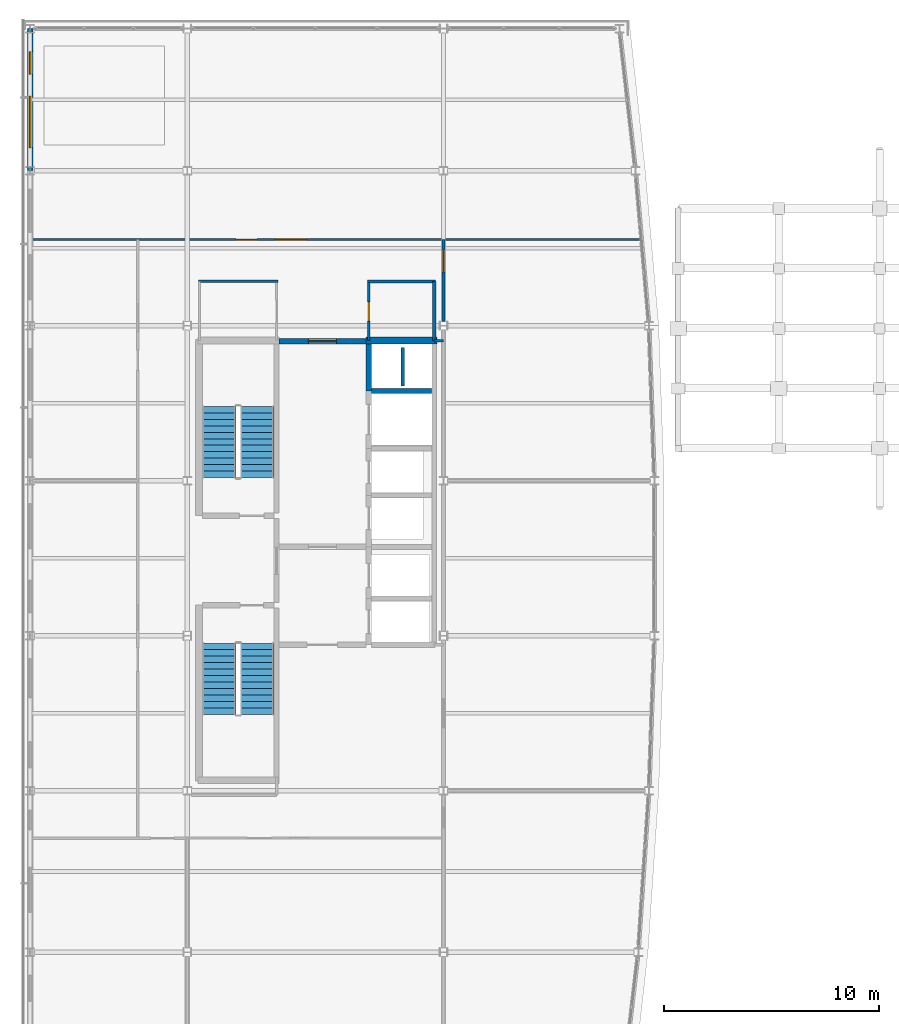
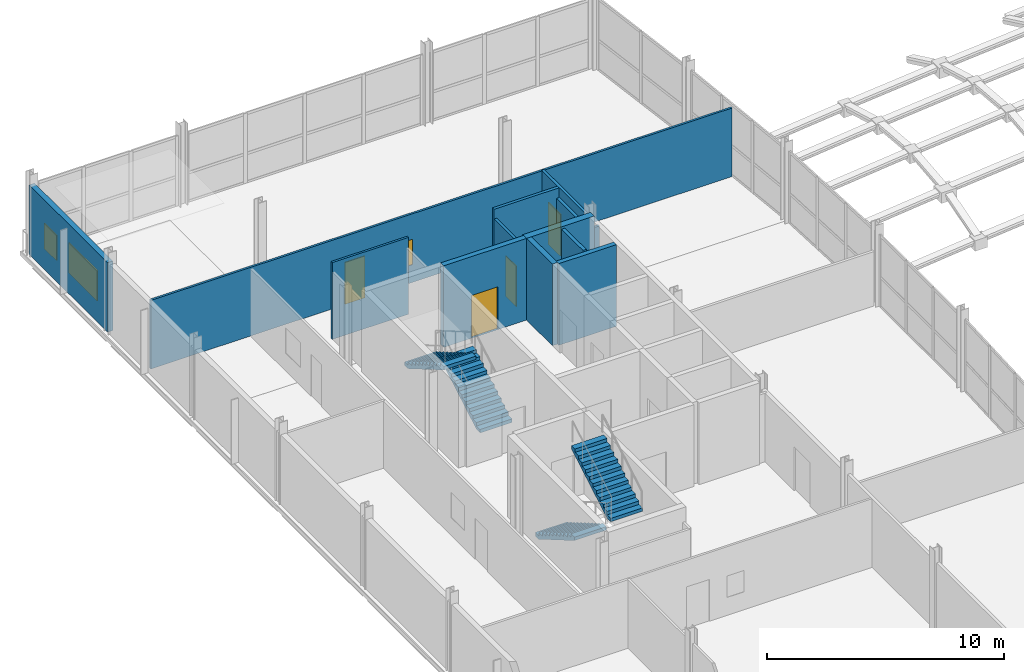
# One storey, part 26 of 36: 13 walls, 4 doors, 4 stair flights, 3 windows, 7 openings, 2 elements without a shape of their own.
"""IFC4 building model written with IfcOpenShell, lengths in metres."""

from ifc_helpers import new_model, si_unit, direction, frame, frame_2d, origin, place, context, subcontext, project, spatial, polyline, rectangle, outline, extrude, material, layer, layer_set, type_object, element, fill, aggregate, save


model = new_model("IFC4")

# Units and contexts
model_context = context("Model", 3, precision=1e-05, world=origin(), true_north=direction((0.0, 1.0)))
body_context = subcontext(model_context, "Body", "Model", "MODEL_VIEW")
ifc_project = project(units=[si_unit("LENGTHUNIT", "METRE"), si_unit("AREAUNIT", "SQUARE_METRE"), si_unit("VOLUMEUNIT", "CUBIC_METRE"), si_unit("PLANEANGLEUNIT", "RADIAN"), si_unit("MASSUNIT", "GRAM", prefix="KILO")], contexts=[model_context])

# Site, building, storey
site_placement = place(None, origin())
site = spatial("IfcSite", under=ifc_project, at=site_placement, CompositionType="ELEMENT")
building_placement = place(site_placement, origin())
building = spatial("IfcBuilding", under=site, at=building_placement, Name="Quillay Park Conservatory", CompositionType="ELEMENT")
storey_placement = place(building_placement, frame((0.0, 0.0, 18.300048828125)))
storey = spatial("IfcBuildingStorey", under=building, at=storey_placement, Name="L04", CompositionType="ELEMENT", Elevation=18.300048828125)

# Wall
ifc_material_1 = material(Name="Steel-Stud Acoustic Gypsum Board Partition", Category="steel")
ifc_layer_1 = layer(ifc_material_1, 0.10498046875)
ifc_layer_set_1 = layer_set([ifc_layer_1], Name="ACOUSTIC GYPSUM PARTITION 105 (Steel-Stud Acoustic Gypsum Board Partition)")
wall_type_1 = type_object("IfcWallType", Name="ACOUSTIC GYPSUM PARTITION 105", PredefinedType="PARTITIONING", material=ifc_layer_set_1)
wall_1_placement = place(storey_placement, frame((8.360107421875, 101.659912109375, 0.0), z_axis=(0.0, 0.0, 1.0), x_axis=(1.0, 0.0, 0.0)))
element("IfcWall", 1, at=wall_1_placement, inside=storey, type_object=wall_type_1, Name="L04 Accessible WC North Wall", PredefinedType="PARTITIONING", context=body_context, shape_type="SweptSolid", body=[
    extrude(rectangle(XDim=3.699951171875, YDim=0.10498046875, at=frame_2d((1.85009765625, 0.0))), origin(), (0.0, 0.0, 1.0), 3.949951171875),
])

# Wall, openings, window, door
wall_2_placement = place(storey_placement, frame((0.64990234375, 103.60009765625, 0.0), z_axis=(0.0, 0.0, 1.0), x_axis=(1.0, 0.0, 0.0)))
wall_2 = element("IfcWall", 2, at=wall_2_placement, inside=storey, type_object=wall_type_1, Name="L04 Cryptogamic Botany and Bryophyte Room South Wall", PredefinedType="PARTITIONING", context=body_context, shape_type="SweptSolid", body=[
    extrude(rectangle(XDim=28.26513671875, YDim=0.10498046875, at=frame_2d((14.132568359375, 0.0))), origin(), (0.0, 0.0, 1.0), 3.52685546875),
])
opening_1_placement = place(wall_2_placement, frame((9.469970703125, 0.0, 0.0)))
opening_1 = element("IfcOpeningElement", 3, at=opening_1_placement, cuts=wall_2, Name="Opening D-RM08", PredefinedType="OPENING", context=body_context, shape_type="SweptSolid", body=[
    extrude(rectangle(XDim=0.9599609375, YDim=2.14990234375, at=frame_2d((0.47998046875, 1.074951171875))), frame((0.0, 0.052490234375, 0.0), z_axis=(0.0, -1.0, 0.0), x_axis=(1.0, 0.0, 0.0)), (0.0, 0.0, 1.0), 0.10498046875),
])
opening_2_placement = place(wall_2_placement, frame((11.280029296875, 0.0, 0.919921875)))
opening_2 = element("IfcOpeningElement", 4, at=opening_2_placement, cuts=wall_2, Name="Opening W-IN12", PredefinedType="OPENING", context=body_context, shape_type="SweptSolid", body=[
    extrude(rectangle(XDim=1.449951171875, YDim=1.300048828125, at=frame_2d((0.72509765625, 0.64990234375))), frame((0.0, 0.052490234375, 0.0), z_axis=(0.0, -1.0, 0.0), x_axis=(1.0, 0.0, 0.0)), (0.0, 0.0, 1.0), 0.10498046875),
])
ifc_material_2 = material(Name="Low-E Double Glazing (Laminated Tempered)", Category="glass")
window_type_1 = type_object("IfcWindowType", Name="OPERABLE VENT WINDOW 1450 X1300", PartitioningType="SINGLE_PANEL", PredefinedType="WINDOW", material=ifc_material_2)
window_1_placement = place(opening_2_placement, origin())
window_1 = element("IfcWindow", 5, at=window_1_placement, inside=storey, type_object=window_type_1, Name="L04 Laboratory Vision Panel 024", OverallHeight=1.300048828125, OverallWidth=1.449951171875, PartitioningType="SINGLE_PANEL", PredefinedType="WINDOW", context=body_context, shape_type="SweptSolid", body=[
    extrude(rectangle(XDim=1.449951171875, YDim=1.300048828125, at=frame_2d((0.72509765625, 0.64990234375))), frame((0.0, 0.030029296875, 0.0), z_axis=(0.0, -1.0, 0.0), x_axis=(1.0, 0.0, 0.0)), (0.0, 0.0, 1.0), 0.06005859375),
])
fill(opening_2, window_1)
ifc_material_3 = material(Name="Thermally Broken Anodised Aluminium 6063-T6", Category="aluminium")
door_type_1 = type_object("IfcDoorType", Name="SINGLE SWING DOOR 960 X2150", OperationType="NOTDEFINED", PredefinedType="DOOR", material=ifc_material_3)
door_1_placement = place(opening_1_placement, origin())
door_1 = element("IfcDoor", 6, at=door_1_placement, inside=storey, type_object=door_type_1, Name="L04 Door to Cryptogamic Botany and Bryophyte Room", OperationType="SINGLE_SWING_RIGHT", OverallHeight=2.14990234375, OverallWidth=0.9599609375, PredefinedType="DOOR", context=body_context, shape_type="SweptSolid", body=[
    extrude(rectangle(XDim=0.9599609375, YDim=2.14990234375, at=frame_2d((0.47998046875, 1.074951171875))), frame((0.0, 0.02490234375, 0.0), z_axis=(0.0, -1.0, 0.0), x_axis=(1.0, 0.0, 0.0)), (0.0, 0.0, 1.0), 0.050048828125),
])
fill(opening_1, door_1)

# Wall
ifc_material_4 = material(Name="Steel-Stud Acoustic Gypsum Board Partition", Category="steel")
ifc_layer_2 = layer(ifc_material_4, 0.125)
ifc_layer_set_2 = layer_set([ifc_layer_2], Name="ACOUSTIC GYPSUM PARTITION 125 (Steel-Stud Acoustic Gypsum Board Partition)")
wall_type_2 = type_object("IfcWallType", Name="ACOUSTIC GYPSUM PARTITION 125", PredefinedType="PARTITIONING", material=ifc_layer_set_2)
wall_3_placement = place(storey_placement, frame((19.75, 98.89990234375, 0.0), z_axis=(0.0, 0.0, 1.0), x_axis=(-1.0, 0.0, 0.0)))
element("IfcWall", 7, at=wall_3_placement, inside=storey, type_object=wall_type_2, Name="L04 Core North-East Closure", PredefinedType="PARTITIONING", context=body_context, shape_type="SweptSolid", body=[
    extrude(rectangle(XDim=0.429931640625, YDim=0.125, at=frame_2d((0.21484375, 0.0))), origin(), (0.0, 0.0, 1.0), 3.52685546875),
])

# Wall, opening, door
ifc_material_5 = material(Name="Steel-Stud Acoustic Gypsum Board Partition", Category="steel")
ifc_layer_3 = layer(ifc_material_5, 0.1298828125)
ifc_layer_set_3 = layer_set([ifc_layer_3], Name="ACOUSTIC GYPSUM PARTITION 130 (Steel-Stud Acoustic Gypsum Board Partition)")
wall_type_3 = type_object("IfcWallType", Name="ACOUSTIC GYPSUM PARTITION 130", PredefinedType="PARTITIONING", material=ifc_layer_set_3)
wall_4_placement = place(storey_placement, frame((16.280029296875, 98.919921875, 0.0), z_axis=(0.0, 0.0, 1.0), x_axis=(0.0, 1.0, 0.0)))
wall_4 = element("IfcWall", 8, at=wall_4_placement, inside=storey, type_object=wall_type_3, Name="L04 Washroom Door Wall", PredefinedType="PARTITIONING", context=body_context, shape_type="SweptSolid", body=[
    extrude(rectangle(XDim=2.68017578125, YDim=0.1298828125, at=frame_2d((1.340087890625, 0.0))), origin(), (0.0, 0.0, 1.0), 3.450927734375),
])
opening_3_placement = place(wall_4_placement, frame((0.889892578125, 0.0, 0.0)))
opening_3 = element("IfcOpeningElement", 9, at=opening_3_placement, cuts=wall_4, Name="Opening D-RM31", PredefinedType="OPENING", context=body_context, shape_type="SweptSolid", body=[
    extrude(rectangle(XDim=0.89990234375, YDim=2.080078125, at=frame_2d((0.449951171875, 1.0400390625))), frame((0.0, 0.06494140625, 0.0), z_axis=(0.0, -1.0, 0.0), x_axis=(1.0, 0.0, 0.0)), (0.0, 0.0, 1.0), 0.1298828125),
])
ifc_material_6 = material(Name="Thermally Broken Anodised Aluminium 6063-T6", Category="aluminium")
door_type_2 = type_object("IfcDoorType", Name="SINGLE SWING DOOR 900 X2080", OperationType="NOTDEFINED", PredefinedType="DOOR", material=ifc_material_6)
door_2_placement = place(opening_3_placement, origin())
door_2 = element("IfcDoor", 10, at=door_2_placement, inside=storey, type_object=door_type_2, Name="L04 Door to L04 Restroom and Washroom", OperationType="SINGLE_SWING_RIGHT", OverallHeight=2.080078125, OverallWidth=0.89990234375, PredefinedType="DOOR", context=body_context, shape_type="SweptSolid", body=[
    extrude(rectangle(XDim=0.89990234375, YDim=2.080078125, at=frame_2d((0.449951171875, 1.0400390625))), frame((0.0, 0.02490234375, 0.0), z_axis=(0.0, -1.0, 0.0), x_axis=(1.0, 0.0, 0.0)), (0.0, 0.0, 1.0), 0.050048828125),
])
fill(opening_3, door_2)

wall_5_placement = place(storey_placement, frame((19.75, 99.79248046875, 0.0), z_axis=(0.0, 0.0, 1.0), x_axis=(0.0, 1.0, 0.0)))
wall_5 = element("IfcWall", 11, at=wall_5_placement, inside=storey, type_object=wall_type_3, Name="L04 Lichenology Specimen Curation Studio West Wall 2", PredefinedType="PARTITIONING", context=body_context, shape_type="SweptSolid", body=[
    extrude(rectangle(XDim=3.8076171875, YDim=0.1298828125, at=frame_2d((1.90380859375, 0.0))), origin(), (0.0, 0.0, 1.0), 3.52685546875),
])
opening_4_placement = place(wall_5_placement, frame((2.3076171875, 0.0, 0.0)))
opening_4 = element("IfcOpeningElement", 12, at=opening_4_placement, cuts=wall_5, Name="Opening D-RM10", PredefinedType="OPENING", context=body_context, shape_type="SweptSolid", body=[
    extrude(rectangle(XDim=1.0400390625, YDim=2.14990234375, at=frame_2d((0.52001953125, 1.074951171875))), frame((0.0, 0.06494140625, 0.0), z_axis=(0.0, -1.0, 0.0), x_axis=(1.0, 0.0, 0.0)), (0.0, 0.0, 1.0), 0.1298828125),
])
ifc_material_7 = material(Name="Thermally Broken Anodised Aluminium 6063-T6", Category="aluminium")
door_type_3 = type_object("IfcDoorType", Name="SINGLE SWING DOOR 1040 X2150", OperationType="NOTDEFINED", PredefinedType="DOOR", material=ifc_material_7)
door_3_placement = place(opening_4_placement, origin())
door_3 = element("IfcDoor", 13, at=door_3_placement, inside=storey, type_object=door_type_3, Name="L04 Door to Lichenology Specimen Curation Studio", OperationType="SINGLE_SWING_RIGHT", OverallHeight=2.14990234375, OverallWidth=1.0400390625, PredefinedType="DOOR", context=body_context, shape_type="SweptSolid", body=[
    extrude(rectangle(XDim=1.0400390625, YDim=2.14990234375, at=frame_2d((0.52001953125, 1.074951171875))), frame((0.0, 0.02490234375, 0.0), z_axis=(0.0, -1.0, 0.0), x_axis=(1.0, 0.0, 0.0)), (0.0, 0.0, 1.0), 0.050048828125),
])
fill(opening_4, door_3)

# Walls
ifc_material_8 = material(Name="Steel-Stud Acoustic Gypsum Board Partition", Category="steel")
ifc_layer_4 = layer(ifc_material_8, 0.139892578125)
ifc_layer_set_4 = layer_set([ifc_layer_4], Name="ACOUSTIC GYPSUM PARTITION 140 (Steel-Stud Acoustic Gypsum Board Partition)")
wall_type_4 = type_object("IfcWallType", Name="ACOUSTIC GYPSUM PARTITION 140", PredefinedType="PARTITIONING", material=ifc_layer_set_4)
wall_6_placement = place(storey_placement, frame((19.3798828125, 101.659912109375, 0.0), z_axis=(0.0, 0.0, 1.0), x_axis=(-1.0, 0.0, 0.0)))
element("IfcWall", 14, at=wall_6_placement, inside=storey, type_object=wall_type_4, Name="L04 Washroom North Wall", PredefinedType="PARTITIONING", context=body_context, shape_type="SweptSolid", body=[
    extrude(rectangle(XDim=3.159912109375, YDim=0.139892578125, at=frame_2d((1.580078125, 0.0))), origin(), (0.0, 0.0, 1.0), 3.949951171875),
])
ifc_material_9 = material(Name="Steel-Stud Acoustic Gypsum Board Partition", Category="steel")
ifc_layer_5 = layer(ifc_material_9, 0.14990234375)
ifc_layer_set_5 = layer_set([ifc_layer_5], Name="ACOUSTIC GYPSUM PARTITION 150 (Steel-Stud Acoustic Gypsum Board Partition)")
wall_type_5 = type_object("IfcWallType", Name="ACOUSTIC GYPSUM PARTITION 150", PredefinedType="PARTITIONING", material=ifc_layer_set_5)
wall_7_placement = place(storey_placement, frame((19.320068359375, 98.919921875, 0.0), z_axis=(0.0, 0.0, 1.0), x_axis=(0.0, 1.0, 0.0)))
element("IfcWall", 15, at=wall_7_placement, inside=storey, type_object=wall_type_5, Name="L04 Washroom East Wall", PredefinedType="PARTITIONING", context=body_context, shape_type="SweptSolid", body=[
    extrude(rectangle(XDim=2.739990234375, YDim=0.14990234375, at=frame_2d((1.3701171875, 0.0))), origin(), (0.0, 0.0, 1.0), 3.450927734375),
])
ifc_material_10 = material(Name="Concrete C35/45 (NCh170 Concrete C35/45)", Category="concrete")
ifc_layer_6 = layer(ifc_material_10, 0.22509765625)
ifc_layer_set_6 = layer_set([ifc_layer_6], Name="CORE SHEAR WALL 225 (Concrete C35/45 (NCh170 Concrete C35/45))")
wall_type_6 = type_object("IfcWallType", Name="CORE SHEAR WALL 225", PredefinedType="SHEAR", material=ifc_layer_set_6)
wall_8_placement = place(storey_placement, frame((16.39990234375, 96.574951171875, 0.0), z_axis=(0.0, 0.0, 1.0), x_axis=(1.0, 0.0, 0.0)))
element("IfcWall", 16, at=wall_8_placement, inside=storey, type_object=wall_type_6, Name="L04 Core Shear Wall WL-LFDIV-L04-965", PredefinedType="SHEAR", context=body_context, shape_type="SweptSolid", body=[
    extrude(rectangle(XDim=2.800048828125, YDim=0.22509765625, at=frame_2d((1.39990234375, 0.0))), origin(), (0.0, 0.0, 1.0), 4.199951171875),
])

# Wall, opening, door
ifc_material_11 = material(Name="Concrete C40/50 (NCh170 Concrete C40/50)", Category="concrete")
ifc_layer_7 = layer(ifc_material_11, 0.25)
ifc_layer_set_7 = layer_set([ifc_layer_7], Name="CORE SHEAR WALL 250 (Concrete C40/50 (NCh170 Concrete C40/50))")
wall_type_7 = type_object("IfcWallType", Name="CORE SHEAR WALL 250", PredefinedType="SHEAR", material=ifc_layer_set_7)
wall_9_placement = place(storey_placement, frame((12.1201171875, 98.875, 0.0), z_axis=(0.0, 0.0, 1.0), x_axis=(1.0, 0.0, 0.0)))
wall_9 = element("IfcWall", 17, at=wall_9_placement, inside=storey, type_object=wall_type_7, Name="L04 Core Shear Wall WL-PAXN-L04", PredefinedType="SHEAR", context=body_context, shape_type="SweptSolid", body=[
    extrude(rectangle(XDim=4.02978515625, YDim=0.25, at=frame_2d((2.014892578125, 0.0))), origin(), (0.0, 0.0, 1.0), 4.199951171875),
])
opening_5_placement = place(wall_9_placement, frame((1.35009765625, 0.0, 0.0)))
opening_5 = element("IfcOpeningElement", 18, at=opening_5_placement, cuts=wall_9, Name="Opening D-LB02", PredefinedType="OPENING", context=body_context, shape_type="SweptSolid", body=[
    extrude(rectangle(XDim=1.300048828125, YDim=2.199951171875, at=frame_2d((0.64990234375, 1.10009765625))), frame((0.0, 0.125, 0.0), z_axis=(0.0, -1.0, 0.0), x_axis=(1.0, 0.0, 0.0)), (0.0, 0.0, 1.0), 0.25),
])
ifc_material_12 = material(Name="Steel ASTM A572 Grade 50", Category="steel")
door_type_4 = type_object("IfcDoorType", Name="FIRE RATED LOBBY DOOR 1300 X2200", OperationType="NOTDEFINED", PredefinedType="DOOR", material=ifc_material_12)
door_4_placement = place(opening_5_placement, origin())
door_4 = element("IfcDoor", 19, at=door_4_placement, inside=storey, type_object=door_type_4, Name="L04 North Lift Lobby Door", OperationType="SINGLE_SWING_RIGHT", OverallHeight=2.199951171875, OverallWidth=1.300048828125, PredefinedType="DOOR", context=body_context, shape_type="SweptSolid", body=[
    extrude(rectangle(XDim=1.300048828125, YDim=2.199951171875, at=frame_2d((0.64990234375, 1.10009765625))), frame((0.0, 0.02490234375, 0.0), z_axis=(0.0, -1.0, 0.0), x_axis=(1.0, 0.0, 0.0)), (0.0, 0.0, 1.0), 0.050048828125),
])
fill(opening_5, door_4)

# Walls
wall_10_placement = place(storey_placement, frame((16.27490234375, 96.574951171875, 0.0), z_axis=(0.0, 0.0, 1.0), x_axis=(0.0, 1.0, 0.0)))
element("IfcWall", 20, at=wall_10_placement, inside=storey, type_object=wall_type_7, Name="L04 Core Shear Wall WL-MEPR-L04", PredefinedType="SHEAR", context=body_context, shape_type="SweptSolid", body=[
    extrude(rectangle(XDim=2.175048828125, YDim=0.25, at=frame_2d((1.08740234375, 0.0))), origin(), (0.0, 0.0, 1.0), 4.199951171875),
])
ifc_material_13 = material(Name="Concrete C40/50 (NCh170 Concrete C40/50)", Category="concrete")
ifc_layer_8 = layer(ifc_material_13, 0.320068359375)
ifc_layer_set_8 = layer_set([ifc_layer_8], Name="CORE SHEAR WALL 320 (Concrete C40/50 (NCh170 Concrete C40/50))")
wall_type_8 = type_object("IfcWallType", Name="CORE SHEAR WALL 320", PredefinedType="SHEAR", material=ifc_layer_set_8)
wall_11_placement = place(storey_placement, frame((16.14990234375, 98.909912109375, 0.0), z_axis=(0.0, 0.0, 1.0), x_axis=(1.0, 0.0, 0.0)))
element("IfcWall", 21, at=wall_11_placement, inside=storey, type_object=wall_type_8, Name="L04 Core Shear Wall WL-TCN-E-L04", PredefinedType="SHEAR", context=body_context, shape_type="SweptSolid", body=[
    extrude(rectangle(XDim=3.300048828125, YDim=0.320068359375, at=frame_2d((1.64990234375, 0.0))), origin(), (0.0, 0.0, 1.0), 4.199951171875),
])

# Wall, openings, windows
ifc_material_14 = material(Name="Glass-Fibre Reinforced Concrete (GRC) Cladding", Category="concrete")
ifc_layer_9 = layer(ifc_material_14, 0.260009765625)
ifc_layer_set_9 = layer_set([ifc_layer_9], Name="EXTERIOR SOLID WALL 260 (Glass-Fibre Reinforced Concrete (GRC) Cladding)")
wall_type_9 = type_object("IfcWallType", Name="EXTERIOR SOLID WALL 260", PredefinedType="SOLIDWALL", material=ifc_layer_set_9)
wall_12_placement = place(storey_placement, frame((0.550048828125, 106.800048828125, 0.0), z_axis=(0.0, 0.0, 1.0), x_axis=(0.0, 1.0, 0.0)))
wall_12 = element("IfcWall", 22, at=wall_12_placement, inside=storey, type_object=wall_type_9, Name="L04 External Wall WL-EXT-V4W-L04-6", PredefinedType="SOLIDWALL", context=body_context, shape_type="SweptSolid", body=[
    extrude(rectangle(XDim=6.599853515625, YDim=0.260009765625, at=frame_2d((3.2998046875, 0.0))), origin(), (0.0, 0.0, 1.0), 3.576904296875),
])
opening_6_placement = place(wall_12_placement, frame((1.070068359375, 0.0, 0.919921875)))
opening_6 = element("IfcOpeningElement", 23, at=opening_6_placement, cuts=wall_12, Name="Opening W-11", PredefinedType="OPENING", context=body_context, shape_type="SweptSolid", body=[
    extrude(rectangle(XDim=2.39990234375, YDim=1.550048828125, at=frame_2d((1.199951171875, 0.77490234375))), frame((0.0, 0.1298828125, 0.0), z_axis=(0.0, -1.0, 0.0), x_axis=(1.0, 0.0, 0.0)), (0.0, 0.0, 1.0), 0.260009765625),
])
opening_7_placement = place(wall_12_placement, frame((4.47998046875, 0.0, 0.919921875)))
opening_7 = element("IfcOpeningElement", 24, at=opening_7_placement, cuts=wall_12, Name="Opening W-18", PredefinedType="OPENING", context=body_context, shape_type="SweptSolid", body=[
    extrude(rectangle(XDim=1.050048828125, YDim=1.300048828125, at=frame_2d((0.52490234375, 0.64990234375))), frame((0.0, 0.1298828125, 0.0), z_axis=(0.0, -1.0, 0.0), x_axis=(1.0, 0.0, 0.0)), (0.0, 0.0, 1.0), 0.260009765625),
])
ifc_material_15 = material(Name="Low-E Double Glazing (Laminated Tempered)", Category="glass")
window_type_2 = type_object("IfcWindowType", Name="FIXED CASEMENT WINDOW 1050 X1300", PartitioningType="SINGLE_PANEL", PredefinedType="WINDOW", material=ifc_material_15)
window_2_placement = place(opening_7_placement, origin())
window_2 = element("IfcWindow", 25, at=window_2_placement, inside=storey, type_object=window_type_2, Name="L04 Exterior Window 0157", OverallHeight=1.300048828125, OverallWidth=1.050048828125, PartitioningType="SINGLE_PANEL", PredefinedType="WINDOW", context=body_context, shape_type="SweptSolid", body=[
    extrude(rectangle(XDim=1.050048828125, YDim=1.300048828125, at=frame_2d((0.52490234375, 0.64990234375))), frame((0.0, 0.030029296875, 0.0), z_axis=(0.0, -1.0, 0.0), x_axis=(1.0, 0.0, 0.0)), (0.0, 0.0, 1.0), 0.06005859375),
])
fill(opening_7, window_2)
ifc_material_16 = material(Name="Low-E Double Glazing (Laminated Tempered)", Category="glass")
window_type_3 = type_object("IfcWindowType", Name="FIXED CASEMENT WINDOW 2400 X1550", PartitioningType="DOUBLE_PANEL_VERTICAL", PredefinedType="WINDOW", material=ifc_material_16)
window_3_placement = place(opening_6_placement, origin())
window_3 = element("IfcWindow", 26, at=window_3_placement, inside=storey, type_object=window_type_3, Name="L04 Exterior Window 0156", OverallHeight=1.550048828125, OverallWidth=2.39990234375, PartitioningType="DOUBLE_PANEL_VERTICAL", PredefinedType="WINDOW", context=body_context, shape_type="SweptSolid", body=[
    extrude(rectangle(XDim=2.39990234375, YDim=1.550048828125, at=frame_2d((1.199951171875, 0.77490234375))), frame((0.0, 0.030029296875, 0.0), z_axis=(0.0, -1.0, 0.0), x_axis=(1.0, 0.0, 0.0)), (0.0, 0.0, 1.0), 0.06005859375),
])
fill(opening_6, window_3)

# Wall
ifc_material_17 = material(Name="Steel-Stud Acoustic Gypsum Board Partition", Category="steel")
ifc_layer_10 = layer(ifc_material_17, 0.1650390625)
ifc_layer_set_10 = layer_set([ifc_layer_10], Name="PLUMBING SHAFT WALL 165 (Steel-Stud Acoustic Gypsum Board Partition)")
wall_type_10 = type_object("IfcWallType", Name="PLUMBING SHAFT WALL 165", PredefinedType="PLUMBINGWALL", material=ifc_layer_set_10)
wall_13_placement = place(storey_placement, frame((17.85009765625, 96.800048828125, 0.0), z_axis=(0.0, 0.0, 1.0), x_axis=(0.0, 1.0, 0.0)))
element("IfcWall", 27, at=wall_13_placement, inside=storey, type_object=wall_type_10, Name="L04 Plumbing Riser Wall", PredefinedType="PLUMBINGWALL", context=body_context, shape_type="SweptSolid", body=[
    extrude(rectangle(XDim=1.800048828125, YDim=0.1650390625, at=frame_2d((0.89990234375, 0.0))), origin(), (0.0, 0.0, 1.0), 4.199951171875),
])

# Stair, stair flights
ifc_material_18 = material(Name="Concrete C35/45 (NCh170 Concrete C35/45)", Category="concrete")
stair_type = type_object("IfcStairType", Name="ENCLOSED DOG LEG STAIR 4200", PredefinedType="HALF_TURN_STAIR", material=ifc_material_18)
stair_1_placement = place(storey_placement, origin())
stair_1 = element("IfcStair", 28, at=stair_1_placement, inside=storey, type_object=stair_type, Name="L04 Tower Protected Exit Stair 1", PredefinedType="HALF_TURN_STAIR")
ifc_material_19 = material(Name="Concrete C35/45 (NCh170 Concrete C35/45)", Category="concrete")
stair_flight_type = type_object("IfcStairFlightType", Name="STRAIGHT STAIR FLIGHT 4200", PredefinedType="STRAIGHT", material=ifc_material_19)
stair_flight_1_placement = place(storey_placement, frame((11.090087890625, 92.550048828125, 0.0), z_axis=(0.0, 0.0, 1.0), x_axis=(0.0, 1.0, 0.0)))
stair_flight_1 = element("IfcStairFlight", 29, at=stair_flight_1_placement, type_object=stair_flight_type, Name="ST-T1 flight 1", NumberOfRisers=12, NumberOfTreads=11, PredefinedType="STRAIGHT", RiserHeight=0.175, TreadLength=0.3, context=body_context, shape_type="SweptSolid", body=[
    extrude(outline(polyline([(0.0, 0.0), (0.0, 0.175048828125), (0.300048828125, 0.175048828125), (0.300048828125, 0.35009765625), (0.60009765625, 0.35009765625), (0.60009765625, 0.52490234375), (0.89990234375, 0.52490234375), (0.89990234375, 0.699951171875), (1.199951171875, 0.699951171875), (1.199951171875, 0.875), (1.5, 0.875), (1.5, 1.050048828125), (1.800048828125, 1.050048828125), (1.800048828125, 1.22509765625), (2.10009765625, 1.22509765625), (2.10009765625, 1.39990234375), (2.39990234375, 1.39990234375), (2.39990234375, 1.574951171875), (2.699951171875, 1.574951171875), (2.699951171875, 1.75), (3.0, 1.75), (3.0, 1.925048828125), (3.300048828125, 1.925048828125), (3.300048828125, 2.10009765625), (3.300048828125, 1.75146484375), (0.297607421875, 0.0), (0.0, 0.0)])), frame((0.0, 0.780029296875, 0.0), z_axis=(0.0, -1.0, 0.0), x_axis=(1.0, 0.0, 0.0)), (0.0, 0.0, 1.0), 1.56005859375),
])
stair_flight_2_placement = place(storey_placement, frame((9.330078125, 95.85009765625, 2.099853515625), z_axis=(0.0, 0.0, 1.0), x_axis=(0.0, -1.0, 0.0)))
stair_flight_2 = element("IfcStairFlight", 30, at=stair_flight_2_placement, type_object=stair_flight_type, Name="ST-T1 flight 2", NumberOfRisers=12, NumberOfTreads=11, PredefinedType="STRAIGHT", RiserHeight=0.175, TreadLength=0.3, context=body_context, shape_type="SweptSolid", body=[
    extrude(outline(polyline([(0.0, 0.0), (0.0, 0.175048828125), (0.300048828125, 0.175048828125), (0.300048828125, 0.35009765625), (0.60009765625, 0.35009765625), (0.60009765625, 0.52490234375), (0.89990234375, 0.52490234375), (0.89990234375, 0.699951171875), (1.199951171875, 0.699951171875), (1.199951171875, 0.875), (1.5, 0.875), (1.5, 1.050048828125), (1.800048828125, 1.050048828125), (1.800048828125, 1.22509765625), (2.10009765625, 1.22509765625), (2.10009765625, 1.39990234375), (2.39990234375, 1.39990234375), (2.39990234375, 1.574951171875), (2.699951171875, 1.574951171875), (2.699951171875, 1.75), (3.0, 1.75), (3.0, 1.925048828125), (3.300048828125, 1.925048828125), (3.300048828125, 2.10009765625), (3.300048828125, 1.75146484375), (0.297607421875, 0.0), (0.0, 0.0)])), frame((0.0, 0.780029296875, 0.0), z_axis=(0.0, -1.0, 0.0), x_axis=(1.0, 0.0, 0.0)), (0.0, 0.0, 1.0), 1.56005859375),
])
aggregate(stair_1, [stair_flight_1, stair_flight_2])

stair_2_placement = place(storey_placement, origin())
stair_2 = element("IfcStair", 31, at=stair_2_placement, inside=storey, type_object=stair_type, Name="L04 Tower Protected Exit Stair 2", PredefinedType="HALF_TURN_STAIR")
stair_flight_3_placement = place(storey_placement, frame((9.330078125, 84.85009765625, 0.0), z_axis=(0.0, 0.0, 1.0), x_axis=(0.0, -1.0, 0.0)))
stair_flight_3 = element("IfcStairFlight", 32, at=stair_flight_3_placement, type_object=stair_flight_type, Name="ST-T2 flight 1", NumberOfRisers=12, NumberOfTreads=11, PredefinedType="STRAIGHT", RiserHeight=0.175, TreadLength=0.3, context=body_context, shape_type="SweptSolid", body=[
    extrude(outline(polyline([(0.0, 0.0), (0.0, 0.175048828125), (0.300048828125, 0.175048828125), (0.300048828125, 0.35009765625), (0.60009765625, 0.35009765625), (0.60009765625, 0.52490234375), (0.89990234375, 0.52490234375), (0.89990234375, 0.699951171875), (1.199951171875, 0.699951171875), (1.199951171875, 0.875), (1.5, 0.875), (1.5, 1.050048828125), (1.800048828125, 1.050048828125), (1.800048828125, 1.22509765625), (2.10009765625, 1.22509765625), (2.10009765625, 1.39990234375), (2.39990234375, 1.39990234375), (2.39990234375, 1.574951171875), (2.699951171875, 1.574951171875), (2.699951171875, 1.75), (3.0, 1.75), (3.0, 1.925048828125), (3.300048828125, 1.925048828125), (3.300048828125, 2.10009765625), (3.300048828125, 1.75146484375), (0.297607421875, 0.0), (0.0, 0.0)])), frame((0.0, 0.780029296875, 0.0), z_axis=(0.0, -1.0, 0.0), x_axis=(1.0, 0.0, 0.0)), (0.0, 0.0, 1.0), 1.56005859375),
])
stair_flight_4_placement = place(storey_placement, frame((11.090087890625, 81.550048828125, 2.099853515625), z_axis=(0.0, 0.0, 1.0), x_axis=(0.0, 1.0, 0.0)))
stair_flight_4 = element("IfcStairFlight", 33, at=stair_flight_4_placement, type_object=stair_flight_type, Name="ST-T2 flight 2", NumberOfRisers=12, NumberOfTreads=11, PredefinedType="STRAIGHT", RiserHeight=0.175, TreadLength=0.3, context=body_context, shape_type="SweptSolid", body=[
    extrude(outline(polyline([(0.0, 0.0), (0.0, 0.175048828125), (0.300048828125, 0.175048828125), (0.300048828125, 0.35009765625), (0.60009765625, 0.35009765625), (0.60009765625, 0.52490234375), (0.89990234375, 0.52490234375), (0.89990234375, 0.699951171875), (1.199951171875, 0.699951171875), (1.199951171875, 0.875), (1.5, 0.875), (1.5, 1.050048828125), (1.800048828125, 1.050048828125), (1.800048828125, 1.22509765625), (2.10009765625, 1.22509765625), (2.10009765625, 1.39990234375), (2.39990234375, 1.39990234375), (2.39990234375, 1.574951171875), (2.699951171875, 1.574951171875), (2.699951171875, 1.75), (3.0, 1.75), (3.0, 1.925048828125), (3.300048828125, 1.925048828125), (3.300048828125, 2.10009765625), (3.300048828125, 1.75146484375), (0.297607421875, 0.0), (0.0, 0.0)])), frame((0.0, 0.780029296875, 0.0), z_axis=(0.0, -1.0, 0.0), x_axis=(1.0, 0.0, 0.0)), (0.0, 0.0, 1.0), 1.56005859375),
])
aggregate(stair_2, [stair_flight_3, stair_flight_4])

save(model, "model.ifc")
